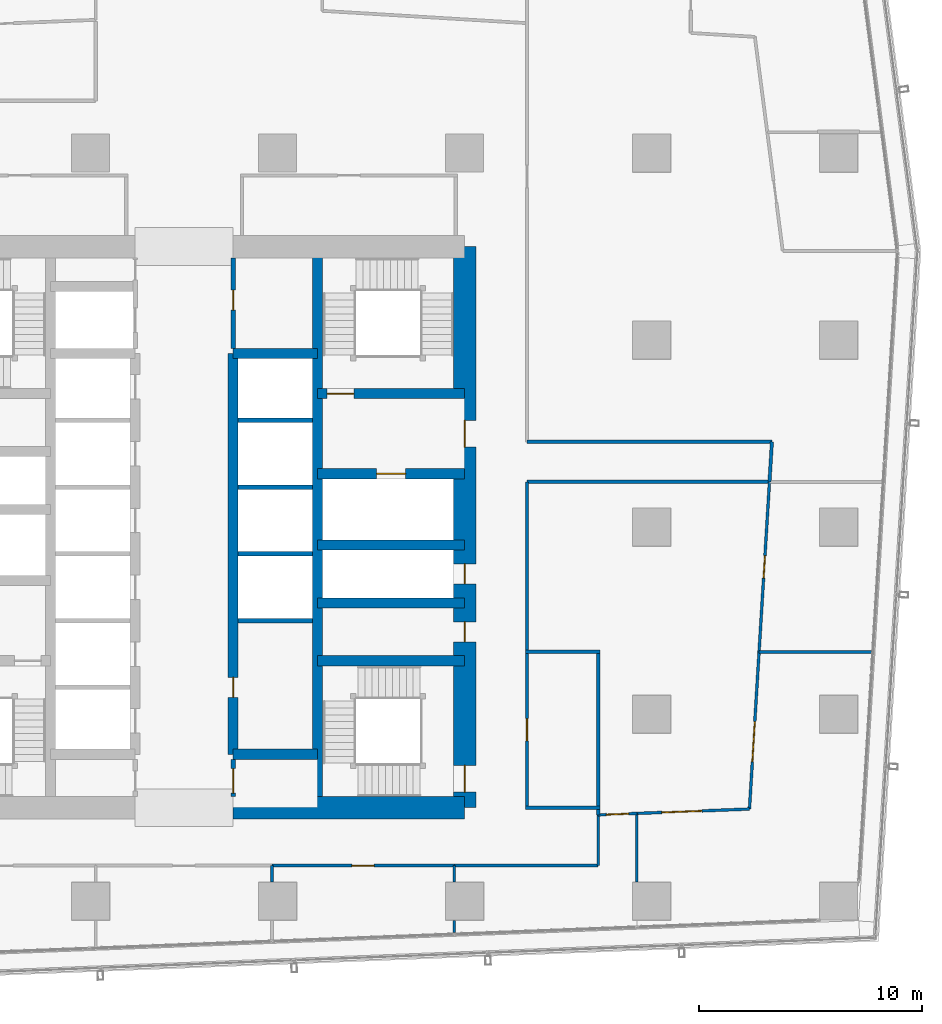
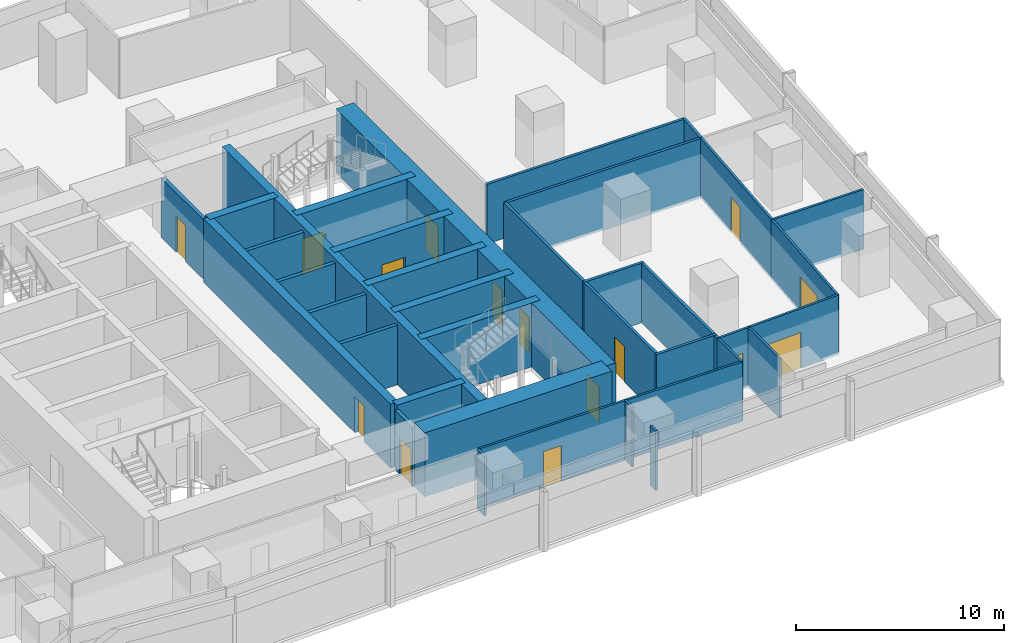
# One storey, part 30 of 40: 38 walls, 15 doors, 15 openings.
"""IFC4 building model written with IfcOpenShell, lengths in metres."""

import ifcopenshell
import ifcopenshell.guid

model = None  # the IFC model being written
_history = None  # IfcOwnerHistory: only IFC2X3 demands one
_inside = {}  # id of a spatial element -> (the spatial element, [elements in it])
_under = {}  # id of a project, library or spatial element -> (it, [spatial elements below it])
_declared = {}  # id of a project -> (the project, [libraries it declares])
_typed = {}  # id of a type object -> (the type object, [elements of that type])
_made_of = {}  # id of a material, layer set ... -> (it, [elements and type objects made of it])


def new_model(schema):
    """Start an empty IFC model of exactly this schema.

    Asked for "IFC4X3", IfcOpenShell would pick the latest addendum, in which some entities
    have other attributes; the version numbers below select the first issue.
    IFC2X3 requires an IfcOwnerHistory on every rooted entity: one is made here for all.
    """
    global model, _history
    if schema == "IFC4X3":
        model = ifcopenshell.file(schema_version=(4, 3, 0, 0))
    else:
        model = ifcopenshell.file(schema=schema)
    _inside.clear()
    _under.clear()
    _declared.clear()
    _typed.clear()
    _made_of.clear()
    _history = None
    if model.schema == "IFC2X3":
        org = make("IfcOrganization", Name="unknown")
        user = make(
            "IfcPersonAndOrganization",
            ThePerson=make("IfcPerson", FamilyName="unknown"),
            TheOrganization=org,
        )
        app = make(
            "IfcApplication",
            ApplicationDeveloper=org,
            Version="unknown",
            ApplicationFullName="unknown",
            ApplicationIdentifier="unknown",
        )
        _history = make(
            "IfcOwnerHistory",
            OwningUser=user,
            OwningApplication=app,
            ChangeAction="ADDED",
            CreationDate=0,
        )
    return model


def make(cls, **values):
    """One entity of the class cls with the attributes given. An attribute that is None is left unset."""
    return model.create_entity(
        cls, **{name: value for name, value in values.items() if value is not None}
    )


def rooted(cls, **values):
    """An entity with a GlobalId (a new one), such as an element, a storey or a relation."""
    return make(cls, GlobalId=ifcopenshell.guid.new(), OwnerHistory=_history, **values)


def si_unit(unit_type, name, prefix=None):
    """IfcSIUnit, for example si_unit("LENGTHUNIT", "METRE", prefix="MILLI")."""
    return make("IfcSIUnit", UnitType=unit_type, Prefix=prefix, Name=name)


def assignment(units):
    """IfcUnitAssignment: the units of a project."""
    return None if units is None else make("IfcUnitAssignment", Units=units)


def point(xyz):
    """IfcCartesianPoint."""
    return None if xyz is None else make("IfcCartesianPoint", Coordinates=xyz)


def direction(xyz):
    """IfcDirection."""
    return None if xyz is None else make("IfcDirection", DirectionRatios=xyz)


def frame(location, z_axis=None, x_axis=None):
    """IfcAxis2Placement3D, a coordinate frame: its origin and axes. An axis left out is left unset."""
    return make(
        "IfcAxis2Placement3D",
        Location=point(location),
        Axis=direction(z_axis),
        RefDirection=direction(x_axis),
    )


def frame_2d(location, x_axis=None):
    """IfcAxis2Placement2D, a coordinate frame in the plane: its origin and x axis."""
    return make(
        "IfcAxis2Placement2D", Location=point(location), RefDirection=direction(x_axis)
    )


def origin():
    """The frame at (0, 0, 0) with its axes left unset."""
    return frame((0.0, 0.0, 0.0))


def place(relative_to, where):
    """IfcLocalPlacement: puts the frame where relative to a parent placement (None: the world)."""
    return make(
        "IfcLocalPlacement", PlacementRelTo=relative_to, RelativePlacement=where
    )


def context(
    kind, dimensions, precision=None, world=None, true_north=None, identifier=None
):
    """IfcGeometricRepresentationContext, for example the 3D "Model" context."""
    return make(
        "IfcGeometricRepresentationContext",
        ContextIdentifier=identifier,
        ContextType=kind,
        CoordinateSpaceDimension=dimensions,
        Precision=precision,
        WorldCoordinateSystem=world,
        TrueNorth=true_north,
    )


def subcontext(parent, identifier, kind, view, scale=None):
    """IfcGeometricRepresentationSubContext, for example "Body" below "Model"."""
    return make(
        "IfcGeometricRepresentationSubContext",
        ContextIdentifier=identifier,
        ContextType=kind,
        ParentContext=parent,
        TargetScale=scale,
        TargetView=view,
    )


def project(units=None, contexts=None):
    """IfcProject with its units and contexts."""
    return rooted(
        "IfcProject",
        Name="project",
        RepresentationContexts=contexts,
        UnitsInContext=assignment(units),
    )


def spatial(cls, under=None, at=None, **own):
    """A site, building, storey or space (cls), placed at a placement, below another one or the project."""
    s = rooted(cls, ObjectPlacement=at, **own)
    if under is not None:
        _under.setdefault(under.id(), (under, []))[1].append(s)
    return s


def profile(cls, at=None, kind="AREA", **sizes):
    """A parametric profile (cls). Its sizes go by their IFC names, for example OverallWidth=200.0."""
    return make(cls, ProfileType=kind, Position=at, **sizes)


def rectangle(**sizes):
    """IfcRectangleProfileDef."""
    return profile("IfcRectangleProfileDef", **sizes)


def extrude(swept, where, along, depth):
    """IfcExtrudedAreaSolid: the profile swept, set in the frame where, extruded along a direction by depth."""
    return make(
        "IfcExtrudedAreaSolid",
        SweptArea=swept,
        Position=where,
        ExtrudedDirection=direction(along),
        Depth=depth,
    )


def shape(context_of_items, identifier, shape_type, items):
    """IfcShapeRepresentation: the items that make up one representation, for example the "Body"."""
    return make(
        "IfcShapeRepresentation",
        ContextOfItems=context_of_items,
        RepresentationIdentifier=identifier,
        RepresentationType=shape_type,
        Items=items,
    )


def material(Name=None, Category=None):
    """IfcMaterial."""
    return make("IfcMaterial", Name=Name, Category=Category)


def layer(
    of_material, thickness, ventilated=None, Name=None, Category=None, Priority=None
):
    """IfcMaterialLayer: one layer of a wall or slab, of a material (None: an air gap)."""
    return make(
        "IfcMaterialLayer",
        Material=of_material,
        LayerThickness=thickness,
        IsVentilated=ventilated,
        Name=Name,
        Category=Category,
        Priority=Priority,
    )


def layer_set(layers, Name=None):
    """IfcMaterialLayerSet."""
    return make("IfcMaterialLayerSet", MaterialLayers=layers, LayerSetName=Name)


def made_of(thing, what):
    """Note that an element or type object is made of a material, layer set ...; save() writes the relation."""
    if what is not None:
        _made_of.setdefault(what.id(), (what, []))[1].append(thing)
    return thing


def type_object(cls, material=None, **own):
    """A type object (cls), such as IfcWallType, which elements share."""
    return made_of(rooted(cls, **own), material)


def element(
    cls,
    number,
    at=None,
    inside=None,
    cuts=None,
    type_object=None,
    material=None,
    context=None,
    identifier="Body",
    shape_type=None,
    held_by="IfcProductDefinitionShape",
    body=None,
    shapes=None,
    **own,
):
    """One element of the class cls, such as IfcWall. Its Tag is "e" and its number.

    at: its placement. inside: the storey or other place that contains it. cuts: it is an
    opening in that element (IfcRelVoidsElement). A single representation is given by context,
    identifier, shape_type and body (its items); several are given by shapes. held_by: the class
    of the entity that holds the representations. save() writes the other relations.
    """
    e = rooted(cls, Tag="e%d" % number, ObjectPlacement=at, **own)
    if body is not None:
        shapes = [shape(context, identifier, shape_type, body)]
    if shapes is not None:
        e.Representation = make(held_by, Representations=shapes)
    if inside is not None:
        _inside.setdefault(inside.id(), (inside, []))[1].append(e)
    if cuts is not None:
        rooted(
            "IfcRelVoidsElement", RelatingBuildingElement=cuts, RelatedOpeningElement=e
        )
    if type_object is not None:
        _typed.setdefault(type_object.id(), (type_object, []))[1].append(e)
    return made_of(e, material)


def fill(opening, filler):
    """IfcRelFillsElement: the door or window that sits in an opening."""
    return rooted(
        "IfcRelFillsElement",
        RelatingOpeningElement=opening,
        RelatedBuildingElement=filler,
    )


def aggregate(whole, parts):
    """IfcRelAggregates: a whole, such as a stair, and the parts it consists of."""
    return rooted("IfcRelAggregates", RelatingObject=whole, RelatedObjects=parts)


def save(model, path):
    """Write the relations noted so far, then the file.

    IfcRelAggregates (storeys below a building ...), IfcRelContainedInSpatialStructure (elements
    in a storey), IfcRelDefinesByType, IfcRelAssociatesMaterial and IfcRelDeclares: one each for
    every whole, place, type object, material and project.
    """
    for whole, parts in _under.values():
        aggregate(whole, parts)
    for where, things in _inside.values():
        rooted(
            "IfcRelContainedInSpatialStructure",
            RelatedElements=things,
            RelatingStructure=where,
        )
    for kind, things in _typed.values():
        rooted("IfcRelDefinesByType", RelatedObjects=things, RelatingType=kind)
    for what, things in _made_of.values():
        rooted("IfcRelAssociatesMaterial", RelatedObjects=things, RelatingMaterial=what)
    for by, libraries in _declared.values():
        rooted("IfcRelDeclares", RelatingContext=by, RelatedDefinitions=libraries)
    model.write(path)


model = new_model("IFC4")

# Units and contexts
model_context = context("Model", 3, precision=1e-05, world=origin(), true_north=direction((0.0, 1.0)))
body_context = subcontext(model_context, "Body", "Model", "MODEL_VIEW")
ifc_project = project(units=[si_unit("LENGTHUNIT", "METRE"), si_unit("AREAUNIT", "SQUARE_METRE"), si_unit("VOLUMEUNIT", "CUBIC_METRE"), si_unit("PLANEANGLEUNIT", "RADIAN"), si_unit("MASSUNIT", "GRAM", prefix="KILO")], contexts=[model_context])

# Site, building, storey
site_placement = place(None, origin())
site = spatial("IfcSite", under=ifc_project, at=site_placement, CompositionType="ELEMENT")
building_placement = place(site_placement, origin())
building = spatial("IfcBuilding", under=site, at=building_placement, Name="Rekha Terrace Tower", CompositionType="ELEMENT")
storey_placement = place(building_placement, frame((0.0, 0.0, 136.550048828125)))
storey = spatial("IfcBuildingStorey", under=building, at=storey_placement, Name="L34", CompositionType="ELEMENT", Elevation=136.550048828125)

# Wall
ifc_material_1 = material(Name="Concrete M70", Category="concrete")
ifc_layer_1 = layer(ifc_material_1, 0.449951171875)
ifc_layer_set_1 = layer_set([ifc_layer_1], Name="Concrete M70")
wall_type_1 = type_object("IfcWallType", Name="CI2 450 core internal shear wall", PredefinedType="SHEAR", material=ifc_layer_set_1)
wall_1_placement = place(storey_placement, frame((43.800048828125, 21.0, 0.0), z_axis=(0.0, 0.0, 1.0), x_axis=(0.0, 1.0, 0.0)))
element("IfcWall", 1, at=wall_1_placement, inside=storey, type_object=wall_type_1, Name="Core wall X438 L34", PredefinedType="SHEAR", context=body_context, shape_type="SweptSolid", body=[
    extrude(rectangle(XDim=25.199951171875, YDim=0.449951171875, at=frame_2d((12.60009765625, 0.0))), origin(), (0.0, 0.0, 1.0), 3.75),
])

# Wall, opening, door
wall_2_placement = place(storey_placement, frame((40.0, 23.39990234375, 0.0), z_axis=(0.0, 0.0, 1.0), x_axis=(0.0, 1.0, 0.0)))
wall_2 = element("IfcWall", 2, at=wall_2_placement, inside=storey, type_object=wall_type_1, Name="Core wall X400 L34", PredefinedType="SHEAR", context=body_context, shape_type="SweptSolid", body=[
    extrude(rectangle(XDim=18.0, YDim=0.449951171875, at=frame_2d((9.0, 0.0))), origin(), (0.0, 0.0, 1.0), 3.75),
])
opening_1_placement = place(wall_2_placement, frame((2.550048828125, 0.0, 0.0)))
opening_1 = element("IfcOpeningElement", 3, at=opening_1_placement, cuts=wall_2, Name="Opening D5", PredefinedType="OPENING", context=body_context, shape_type="SweptSolid", body=[
    extrude(rectangle(XDim=0.89990234375, YDim=2.10009765625, at=frame_2d((0.449951171875, 1.050048828125))), frame((0.0, 0.23486328125, 0.0), z_axis=(0.0, -1.0, 0.0), x_axis=(1.0, 0.0, 0.0)), (0.0, 0.0, 1.0), 0.469970703125),
])
ifc_material_2 = material(Name="Steel fire door", Category="steel")
door_type_1 = type_object("IfcDoorType", Name="D5 900x2100 riser access door", OperationType="SINGLE_SWING_LEFT", PredefinedType="DOOR", material=ifc_material_2)
door_1_placement = place(opening_1_placement, origin())
door_1 = element("IfcDoor", 4, at=door_1_placement, inside=storey, type_object=door_type_1, Name="Door back-of-house store L34", OperationType="SINGLE_SWING_LEFT", OverallHeight=2.10009765625, OverallWidth=0.89990234375, PredefinedType="DOOR", context=body_context, shape_type="SweptSolid", body=[
    extrude(rectangle(XDim=0.89990234375, YDim=2.10009765625, at=frame_2d((0.449951171875, 1.050048828125))), frame((0.0, 0.02490234375, 0.0), z_axis=(0.0, -1.0, 0.0), x_axis=(1.0, 0.0, 0.0)), (0.0, 0.0, 1.0), 0.050048828125),
])
fill(opening_1, door_1)

# Walls
for number, where, z_axis, x_axis, name in (
    (5, (40.0, 23.39990234375, 0.0), (0.0, 0.0, 1.0), (1.0, 0.0, 0.0), "Core wall Y234E L34"),
    (6, (40.0, 41.39990234375, 0.0), (0.0, 0.0, 1.0), (1.0, 0.0, 0.0), "Core wall Y414E L34"),
):
    element("IfcWall", number, at=place(storey_placement, frame(where, z_axis=z_axis, x_axis=x_axis)), inside=storey, type_object=wall_type_1, Name=name, PredefinedType="SHEAR", context=body_context, shape_type="SweptSolid", body=[
        extrude(rectangle(XDim=3.800048828125, YDim=0.449951171875, at=frame_2d((1.89990234375, 0.0))), origin(), (0.0, 0.0, 1.0), 3.75),
    ])
for number, where, z_axis, x_axis, name in (
    (7, (43.800048828125, 27.60009765625, 0.0), (0.0, 0.0, 1.0), (1.0, 0.0, 0.0), "Core wall Y276E L34"),
    (8, (43.800048828125, 30.199951171875, 0.0), (0.0, 0.0, 1.0), (1.0, 0.0, 0.0), "Core wall Y302E L34"),
    (9, (43.800048828125, 32.800048828125, 0.0), (0.0, 0.0, 1.0), (1.0, 0.0, 0.0), "Core wall Y328E L34"),
):
    element("IfcWall", number, at=place(storey_placement, frame(where, z_axis=z_axis, x_axis=x_axis)), inside=storey, type_object=wall_type_1, Name=name, PredefinedType="SHEAR", context=body_context, shape_type="SweptSolid", body=[
        extrude(rectangle(XDim=6.599853515625, YDim=0.449951171875, at=frame_2d((3.2998046875, 0.0))), origin(), (0.0, 0.0, 1.0), 3.75),
    ])

# Wall, opening, door
wall_3_placement = place(storey_placement, frame((43.800048828125, 36.0, 0.0), z_axis=(0.0, 0.0, 1.0), x_axis=(1.0, 0.0, 0.0)))
wall_3 = element("IfcWall", 10, at=wall_3_placement, inside=storey, type_object=wall_type_1, Name="Core wall Y360E L34", PredefinedType="SHEAR", context=body_context, shape_type="SweptSolid", body=[
    extrude(rectangle(XDim=6.599853515625, YDim=0.449951171875, at=frame_2d((3.2998046875, 0.0))), origin(), (0.0, 0.0, 1.0), 3.75),
])
opening_2_placement = place(wall_3_placement, frame((2.64990234375, 0.0, 0.0)))
opening_2 = element("IfcOpeningElement", 11, at=opening_2_placement, cuts=wall_3, Name="Opening LD2", PredefinedType="OPENING", context=body_context, shape_type="SweptSolid", body=[
    extrude(rectangle(XDim=1.300048828125, YDim=2.10009765625, at=frame_2d((0.64990234375, 1.050048828125))), frame((0.0, 0.23486328125, 0.0), z_axis=(0.0, -1.0, 0.0), x_axis=(1.0, 0.0, 0.0)), (0.0, 0.0, 1.0), 0.469970703125),
])
ifc_material_3 = material(Name="Stainless steel sliding landing door", Category="steel")
door_type_2 = type_object("IfcDoorType", Name="LD2 1300x2100 fire lift landing door", OperationType="SLIDING_TO_LEFT", PredefinedType="USERDEFINED", material=ifc_material_3)
door_2_placement = place(opening_2_placement, origin())
door_2 = element("IfcDoor", 12, at=door_2_placement, inside=storey, type_object=door_type_2, Name="Lift FL2 landing door L34", ObjectType="LIFT LANDING DOOR", OperationType="SLIDING_TO_LEFT", OverallHeight=2.10009765625, OverallWidth=1.300048828125, PredefinedType="USERDEFINED", context=body_context, shape_type="SweptSolid", body=[
    extrude(rectangle(XDim=1.300048828125, YDim=2.10009765625, at=frame_2d((0.64990234375, 1.050048828125))), frame((0.0, 0.02490234375, 0.0), z_axis=(0.0, -1.0, 0.0), x_axis=(1.0, 0.0, 0.0)), (0.0, 0.0, 1.0), 0.050048828125),
])
fill(opening_2, door_2)

wall_4_placement = place(storey_placement, frame((43.800048828125, 39.60009765625, 0.0), z_axis=(0.0, 0.0, 1.0), x_axis=(1.0, 0.0, 0.0)))
wall_4 = element("IfcWall", 13, at=wall_4_placement, inside=storey, type_object=wall_type_1, Name="Core wall Y396E L34", PredefinedType="SHEAR", context=body_context, shape_type="SweptSolid", body=[
    extrude(rectangle(XDim=6.599853515625, YDim=0.449951171875, at=frame_2d((3.2998046875, 0.0))), origin(), (0.0, 0.0, 1.0), 3.75),
])
opening_3_placement = place(wall_4_placement, frame((0.425048828125, 0.0, 0.0)))
opening_3 = element("IfcOpeningElement", 14, at=opening_3_placement, cuts=wall_4, Name="Opening D1", PredefinedType="OPENING", context=body_context, shape_type="SweptSolid", body=[
    extrude(rectangle(XDim=1.199951171875, YDim=2.10009765625, at=frame_2d((0.60009765625, 1.050048828125))), frame((0.0, 0.23486328125, 0.0), z_axis=(0.0, -1.0, 0.0), x_axis=(1.0, 0.0, 0.0)), (0.0, 0.0, 1.0), 0.469970703125),
])
door_type_3 = type_object("IfcDoorType", Name="D1 1200x2100 stair fire door", OperationType="SINGLE_SWING_RIGHT", PredefinedType="DOOR", material=ifc_material_2)
door_3_placement = place(opening_3_placement, origin())
door_3 = element("IfcDoor", 15, at=door_3_placement, inside=storey, type_object=door_type_3, Name="Stair ST2 door L34", OperationType="SINGLE_SWING_RIGHT", OverallHeight=2.10009765625, OverallWidth=1.199951171875, PredefinedType="DOOR", context=body_context, shape_type="SweptSolid", body=[
    extrude(rectangle(XDim=1.199951171875, YDim=2.10009765625, at=frame_2d((0.60009765625, 1.050048828125))), frame((0.0, 0.02490234375, 0.0), z_axis=(0.0, -1.0, 0.0), x_axis=(1.0, 0.0, 0.0)), (0.0, 0.0, 1.0), 0.050048828125),
])
fill(opening_3, door_3)

# Wall
ifc_layer_2 = layer(ifc_material_1, 1.0)
ifc_layer_set_2 = layer_set([ifc_layer_2], Name="Concrete M70")
wall_type_2 = type_object("IfcWallType", Name="SW2 1000 core outer shear wall", PredefinedType="SHEAR", material=ifc_layer_set_2)
wall_5_placement = place(storey_placement, frame((40.0, 21.0, 0.0), z_axis=(0.0, 0.0, 1.0), x_axis=(1.0, 0.0, 0.0)))
element("IfcWall", 16, at=wall_5_placement, inside=storey, type_object=wall_type_2, Name="Core wall S2 L34", PredefinedType="SHEAR", context=body_context, shape_type="SweptSolid", body=[
    extrude(rectangle(XDim=10.39990234375, YDim=1.0, at=frame_2d((5.199951171875, 0.0))), origin(), (0.0, 0.0, 1.0), 3.75),
])

# Wall, openings, doors
wall_6_placement = place(storey_placement, frame((50.39990234375, 21.0, 0.0), z_axis=(0.0, 0.0, 1.0), x_axis=(0.0, 1.0, 0.0)))
wall_6 = element("IfcWall", 17, at=wall_6_placement, inside=storey, type_object=wall_type_2, Name="Core wall E L34", PredefinedType="SHEAR", context=body_context, shape_type="SweptSolid", body=[
    extrude(rectangle(XDim=25.199951171875, YDim=1.0, at=frame_2d((12.60009765625, 0.0))), origin(), (0.0, 0.0, 1.0), 3.75),
])
opening_4_placement = place(wall_6_placement, frame((16.199951171875, 0.0, 0.0)))
opening_4 = element("IfcOpeningElement", 18, at=opening_4_placement, cuts=wall_6, Name="Opening D2", PredefinedType="OPENING", context=body_context, shape_type="SweptSolid", body=[
    extrude(rectangle(XDim=1.199951171875, YDim=2.10009765625, at=frame_2d((0.60009765625, 1.050048828125))), frame((0.0, 0.510009765625, 0.0), z_axis=(0.0, -1.0, 0.0), x_axis=(1.0, 0.0, 0.0)), (0.0, 0.0, 1.0), 1.02001953125),
])
opening_5_placement = place(wall_6_placement, frame((10.050048828125, 0.0, 0.0)))
opening_5 = element("IfcOpeningElement", 19, at=opening_5_placement, cuts=wall_6, Name="Opening D5", PredefinedType="OPENING", context=body_context, shape_type="SweptSolid", body=[
    extrude(rectangle(XDim=0.89990234375, YDim=2.10009765625, at=frame_2d((0.449951171875, 1.050048828125))), frame((0.0, 0.510009765625, 0.0), z_axis=(0.0, -1.0, 0.0), x_axis=(1.0, 0.0, 0.0)), (0.0, 0.0, 1.0), 1.02001953125),
])
opening_6_placement = place(wall_6_placement, frame((7.449951171875, 0.0, 0.0)))
opening_6 = element("IfcOpeningElement", 20, at=opening_6_placement, cuts=wall_6, Name="Opening D5", PredefinedType="OPENING", context=body_context, shape_type="SweptSolid", body=[
    extrude(rectangle(XDim=0.89990234375, YDim=2.10009765625, at=frame_2d((0.449951171875, 1.050048828125))), frame((0.0, 0.510009765625, 0.0), z_axis=(0.0, -1.0, 0.0), x_axis=(1.0, 0.0, 0.0)), (0.0, 0.0, 1.0), 1.02001953125),
])
opening_7_placement = place(wall_6_placement, frame((0.699951171875, 0.0, 0.0)))
opening_7 = element("IfcOpeningElement", 21, at=opening_7_placement, cuts=wall_6, Name="Opening D1", PredefinedType="OPENING", context=body_context, shape_type="SweptSolid", body=[
    extrude(rectangle(XDim=1.199951171875, YDim=2.10009765625, at=frame_2d((0.60009765625, 1.050048828125))), frame((0.0, 0.510009765625, 0.0), z_axis=(0.0, -1.0, 0.0), x_axis=(1.0, 0.0, 0.0)), (0.0, 0.0, 1.0), 1.02001953125),
])
door_4_placement = place(opening_7_placement, origin())
door_4 = element("IfcDoor", 22, at=door_4_placement, inside=storey, type_object=door_type_3, Name="Stair ST3 door L34", OperationType="SINGLE_SWING_RIGHT", OverallHeight=2.10009765625, OverallWidth=1.199951171875, PredefinedType="DOOR", context=body_context, shape_type="SweptSolid", body=[
    extrude(rectangle(XDim=1.199951171875, YDim=2.10009765625, at=frame_2d((0.60009765625, 1.050048828125))), frame((0.0, 0.02490234375, 0.0), z_axis=(0.0, -1.0, 0.0), x_axis=(1.0, 0.0, 0.0)), (0.0, 0.0, 1.0), 0.050048828125),
])
fill(opening_7, door_4)
door_type_4 = type_object("IfcDoorType", Name="D2 1200x2100 firefighting lobby door", OperationType="SINGLE_SWING_LEFT", PredefinedType="DOOR", material=ifc_material_2)
door_5_placement = place(opening_4_placement, origin())
door_5 = element("IfcDoor", 23, at=door_5_placement, inside=storey, type_object=door_type_4, Name="Door flb2 L34", OperationType="SINGLE_SWING_LEFT", OverallHeight=2.10009765625, OverallWidth=1.199951171875, PredefinedType="DOOR", context=body_context, shape_type="SweptSolid", body=[
    extrude(rectangle(XDim=1.199951171875, YDim=2.10009765625, at=frame_2d((0.60009765625, 1.050048828125))), frame((0.0, 0.02490234375, 0.0), z_axis=(0.0, -1.0, 0.0), x_axis=(1.0, 0.0, 0.0)), (0.0, 0.0, 1.0), 0.050048828125),
])
fill(opening_4, door_5)
door_6_placement = place(opening_5_placement, origin())
door_6 = element("IfcDoor", 24, at=door_6_placement, inside=storey, type_object=door_type_1, Name="Door rs2 L34", OperationType="SINGLE_SWING_LEFT", OverallHeight=2.10009765625, OverallWidth=0.89990234375, PredefinedType="DOOR", context=body_context, shape_type="SweptSolid", body=[
    extrude(rectangle(XDim=0.89990234375, YDim=2.10009765625, at=frame_2d((0.449951171875, 1.050048828125))), frame((0.0, 0.02490234375, 0.0), z_axis=(0.0, -1.0, 0.0), x_axis=(1.0, 0.0, 0.0)), (0.0, 0.0, 1.0), 0.050048828125),
])
fill(opening_5, door_6)
door_7_placement = place(opening_6_placement, origin())
door_7 = element("IfcDoor", 25, at=door_7_placement, inside=storey, type_object=door_type_1, Name="Door ele L34", OperationType="SINGLE_SWING_LEFT", OverallHeight=2.10009765625, OverallWidth=0.89990234375, PredefinedType="DOOR", context=body_context, shape_type="SweptSolid", body=[
    extrude(rectangle(XDim=0.89990234375, YDim=2.10009765625, at=frame_2d((0.449951171875, 1.050048828125))), frame((0.0, 0.02490234375, 0.0), z_axis=(0.0, -1.0, 0.0), x_axis=(1.0, 0.0, 0.0)), (0.0, 0.0, 1.0), 0.050048828125),
])
fill(opening_6, door_7)

# Walls
ifc_material_4 = material(Name="Concrete block masonry, 1 hour", Category="masonry")
ifc_layer_3 = layer(ifc_material_4, 0.14990234375)
ifc_layer_set_3 = layer_set([ifc_layer_3], Name="Concrete block masonry, 1 hour")
wall_type_3 = type_object("IfcWallType", Name="WP2 150 tenancy partition", PredefinedType="PARTITIONING", material=ifc_layer_set_3)
for number, where, z_axis, x_axis, name in (
    (26, (53.125, 21.0, 0.0), (0.0, 0.0, 1.0), (1.0, 0.0, 0.0), "Men's WC wall L34"),
    (27, (53.125, 28.0, 0.0), (0.0, 0.0, 1.0), (1.0, 0.0, 0.0), "Men's WC wall L34"),
):
    element("IfcWall", number, at=place(storey_placement, frame(where, z_axis=z_axis, x_axis=x_axis)), inside=storey, type_object=wall_type_3, Name=name, PredefinedType="PARTITIONING", context=body_context, shape_type="SweptSolid", body=[
        extrude(rectangle(XDim=3.35009765625, YDim=0.14990234375, at=frame_2d((1.675048828125, 0.0))), origin(), (0.0, 0.0, 1.0), 3.5),
    ])

# Wall, opening, door
wall_7_placement = place(storey_placement, frame((53.199951171875, 21.074951171875, 0.0), z_axis=(0.0, 0.0, 1.0), x_axis=(0.0, 1.0, 0.0)))
wall_7 = element("IfcWall", 28, at=wall_7_placement, inside=storey, type_object=wall_type_3, Name="Men's WC wall L34", PredefinedType="PARTITIONING", context=body_context, shape_type="SweptSolid", body=[
    extrude(rectangle(XDim=6.85009765625, YDim=0.14990234375, at=frame_2d((3.425048828125, 0.0))), origin(), (0.0, 0.0, 1.0), 3.5),
])
opening_8_placement = place(wall_7_placement, frame((2.925048828125, 0.0, 0.0)))
opening_8 = element("IfcOpeningElement", 29, at=opening_8_placement, cuts=wall_7, Name="Opening D3", PredefinedType="OPENING", context=body_context, shape_type="SweptSolid", body=[
    extrude(rectangle(XDim=1.0, YDim=2.10009765625, at=frame_2d((0.5, 1.050048828125))), frame((0.0, 0.0849609375, 0.0), z_axis=(0.0, -1.0, 0.0), x_axis=(1.0, 0.0, 0.0)), (0.0, 0.0, 1.0), 0.169921875),
])
ifc_material_5 = material(Name="Laminated timber fire door", Category="wood")
door_type_5 = type_object("IfcDoorType", Name="D3 1000x2100 WC door", OperationType="SINGLE_SWING_LEFT", PredefinedType="DOOR", material=ifc_material_5)
door_8_placement = place(opening_8_placement, origin())
door_8 = element("IfcDoor", 30, at=door_8_placement, inside=storey, type_object=door_type_5, Name="Door men's wc L34", OperationType="SINGLE_SWING_LEFT", OverallHeight=2.10009765625, OverallWidth=1.0, PredefinedType="DOOR", context=body_context, shape_type="SweptSolid", body=[
    extrude(rectangle(XDim=1.0, YDim=2.10009765625, at=frame_2d((0.5, 1.050048828125))), frame((0.0, 0.02490234375, 0.0), z_axis=(0.0, -1.0, 0.0), x_axis=(1.0, 0.0, 0.0)), (0.0, 0.0, 1.0), 0.050048828125),
])
fill(opening_8, door_8)

# Walls
wall_8_placement = place(storey_placement, frame((56.39990234375, 21.074951171875, 0.0), z_axis=(0.0, 0.0, 1.0), x_axis=(0.0, 1.0, 0.0)))
element("IfcWall", 31, at=wall_8_placement, inside=storey, type_object=wall_type_3, Name="Men's WC wall L34", PredefinedType="PARTITIONING", context=body_context, shape_type="SweptSolid", body=[
    extrude(rectangle(XDim=6.85009765625, YDim=0.14990234375, at=frame_2d((3.425048828125, 0.0))), origin(), (0.0, 0.0, 1.0), 3.5),
])
wall_9_placement = place(storey_placement, frame((64.093017578125, 35.636962890625, 0.0), z_axis=(0.0, 0.0, 1.0), x_axis=(0.060920139636, 0.998142643407, 0.0)))
element("IfcWall", 32, at=wall_9_placement, inside=storey, type_object=wall_type_3, Name="Partition L34-O1", PredefinedType="PARTITIONING", context=body_context, shape_type="SweptSolid", body=[
    extrude(rectangle(XDim=1.803466796875, YDim=0.14990234375, at=frame_2d((0.90185546875, 0.0))), origin(), (0.0, 0.0, 1.0), 3.5),
])
wall_10_placement = place(storey_placement, frame((64.202880859375, 37.43701171875, 0.0), z_axis=(0.0, 0.0, 1.0), x_axis=(-1.0, 0.0, 0.0)))
element("IfcWall", 33, at=wall_10_placement, inside=storey, type_object=wall_type_3, Name="Partition L34-O1", PredefinedType="PARTITIONING", context=body_context, shape_type="SweptSolid", body=[
    extrude(rectangle(XDim=11.001953125, YDim=0.14990234375, at=frame_2d((5.5009765625, 0.0))), origin(), (0.0, 0.0, 1.0), 3.5),
])
wall_11_placement = place(storey_placement, frame((56.39990234375, 20.674072265625, 0.0), z_axis=(0.0, 0.0, 1.0), x_axis=(0.0, 1.0, 0.0)))
element("IfcWall", 34, at=wall_11_placement, inside=storey, type_object=wall_type_3, Name="Partition L34-O1", PredefinedType="PARTITIONING", context=body_context, shape_type="SweptSolid", body=[
    extrude(rectangle(XDim=0.2509765625, YDim=0.14990234375, at=frame_2d((0.12548828125, 0.0))), origin(), (0.0, 0.0, 1.0), 3.5),
])
wall_12_placement = place(storey_placement, frame((53.199951171875, 28.074951171875, 0.0), z_axis=(0.0, 0.0, 1.0), x_axis=(0.0, 1.0, 0.0)))
element("IfcWall", 35, at=wall_12_placement, inside=storey, type_object=wall_type_3, Name="Partition L34-O1", PredefinedType="PARTITIONING", context=body_context, shape_type="SweptSolid", body=[
    extrude(rectangle(XDim=7.56201171875, YDim=0.14990234375, at=frame_2d((3.781005859375, 0.0))), origin(), (0.0, 0.0, 1.0), 3.5),
])
wall_13_placement = place(storey_placement, frame((53.199951171875, 35.636962890625, 0.0), z_axis=(0.0, 0.0, 1.0), x_axis=(1.0, 0.0, 0.0)))
element("IfcWall", 36, at=wall_13_placement, inside=storey, type_object=wall_type_3, Name="Partition L34-O1", PredefinedType="PARTITIONING", context=body_context, shape_type="SweptSolid", body=[
    extrude(rectangle(XDim=10.89306640625, YDim=0.14990234375, at=frame_2d((5.446533203125, 0.0))), origin(), (0.0, 0.0, 1.0), 3.5),
])

# Wall, opening, door
ifc_material_6 = material(Name="Two layers of fire-rated gypsum board each side on steel studs, acoustic quilt, 1 hour", Category="steel")
ifc_layer_4 = layer(ifc_material_6, 0.125)
ifc_layer_set_4 = layer_set([ifc_layer_4], Name="Two layers of fire-rated gypsum board each side on steel studs, acoustic quilt, 1 hour")
wall_type_4 = type_object("IfcWallType", Name="WP3 125 office partition", PredefinedType="PARTITIONING", material=ifc_layer_set_4)
wall_14_placement = place(storey_placement, frame((41.740966796875, 18.39990234375, 0.0), z_axis=(0.0, 0.0, 1.0), x_axis=(1.0, 0.0, 0.0)))
wall_14 = element("IfcWall", 37, at=wall_14_placement, inside=storey, type_object=wall_type_4, Name="Partition L34-02", PredefinedType="PARTITIONING", context=body_context, shape_type="SweptSolid", body=[
    extrude(rectangle(XDim=8.195068359375, YDim=0.125, at=frame_2d((4.09765625, 0.0))), origin(), (0.0, 0.0, 1.0), 3.5),
])
opening_9_placement = place(wall_14_placement, frame((3.596923828125, 0.0, 0.0)))
opening_9 = element("IfcOpeningElement", 38, at=opening_9_placement, cuts=wall_14, Name="Opening D9", PredefinedType="OPENING", context=body_context, shape_type="SweptSolid", body=[
    extrude(rectangle(XDim=1.0, YDim=2.10009765625, at=frame_2d((0.5, 1.050048828125))), frame((0.0, 0.072509765625, 0.0), z_axis=(0.0, -1.0, 0.0), x_axis=(1.0, 0.0, 0.0)), (0.0, 0.0, 1.0), 0.14501953125),
])
ifc_material_7 = material(Name="Timber fire door", Category="wood")
door_type_6 = type_object("IfcDoorType", Name="D9 1000x2100 office door", OperationType="SINGLE_SWING_LEFT", PredefinedType="DOOR", material=ifc_material_7)
door_9_placement = place(opening_9_placement, origin())
door_9 = element("IfcDoor", 39, at=door_9_placement, inside=storey, type_object=door_type_6, Name="Door meeting room L34", OperationType="SINGLE_SWING_LEFT", OverallHeight=2.10009765625, OverallWidth=1.0, PredefinedType="DOOR", context=body_context, shape_type="SweptSolid", body=[
    extrude(rectangle(XDim=1.0, YDim=2.10009765625, at=frame_2d((0.5, 1.050048828125))), frame((0.0, 0.02490234375, 0.0), z_axis=(0.0, -1.0, 0.0), x_axis=(1.0, 0.0, 0.0)), (0.0, 0.0, 1.0), 0.050048828125),
])
fill(opening_9, door_9)

# Walls
wall_15_placement = place(storey_placement, frame((49.93603515625, 18.39990234375, 0.0), z_axis=(0.0, 0.0, 1.0), x_axis=(0.0, -1.0, 0.0)))
element("IfcWall", 40, at=wall_15_placement, inside=storey, type_object=wall_type_4, Name="Partition L34-02", PredefinedType="PARTITIONING", context=body_context, shape_type="SweptSolid", body=[
    extrude(rectangle(XDim=0.72998046875, YDim=0.125, at=frame_2d((0.364990234375, 0.0))), origin(), (0.0, 0.0, 1.0), 3.5),
])
wall_16_placement = place(storey_placement, frame((49.93603515625, 15.929931640625, 0.0), z_axis=(0.0, 0.0, 1.0), x_axis=(0.0, -1.0, 0.0)))
element("IfcWall", 41, at=wall_16_placement, inside=storey, type_object=wall_type_4, Name="Partition L34-02", PredefinedType="PARTITIONING", context=body_context, shape_type="SweptSolid", body=[
    extrude(rectangle(XDim=0.531005859375, YDim=0.125, at=frame_2d((0.265625, 0.0))), origin(), (0.0, 0.0, 1.0), 3.5),
])
wall_17_placement = place(storey_placement, frame((41.740966796875, 17.669921875, 0.0), z_axis=(0.0, 0.0, 1.0), x_axis=(0.0, 1.0, 0.0)))
element("IfcWall", 42, at=wall_17_placement, inside=storey, type_object=wall_type_4, Name="Partition L34-02", PredefinedType="PARTITIONING", context=body_context, shape_type="SweptSolid", body=[
    extrude(rectangle(XDim=0.72998046875, YDim=0.125, at=frame_2d((0.364990234375, 0.0))), origin(), (0.0, 0.0, 1.0), 3.5),
])
wall_18_placement = place(storey_placement, frame((49.93701171875, 18.39990234375, 0.0), z_axis=(0.0, 0.0, 1.0), x_axis=(1.0, 0.0, 0.0)))
element("IfcWall", 43, at=wall_18_placement, inside=storey, type_object=wall_type_4, Name="Partition L34-03", PredefinedType="PARTITIONING", context=body_context, shape_type="SweptSolid", body=[
    extrude(rectangle(XDim=6.462890625, YDim=0.125, at=frame_2d((3.2314453125, 0.0))), origin(), (0.0, 0.0, 1.0), 3.5),
])
wall_19_placement = place(storey_placement, frame((56.39990234375, 18.39990234375, 0.0), z_axis=(0.0, 0.0, 1.0), x_axis=(0.0, 1.0, 0.0)))
element("IfcWall", 44, at=wall_19_placement, inside=storey, type_object=wall_type_4, Name="Partition L34-03", PredefinedType="PARTITIONING", context=body_context, shape_type="SweptSolid", body=[
    extrude(rectangle(XDim=2.274169921875, YDim=0.125, at=frame_2d((1.13720703125, 0.0))), origin(), (0.0, 0.0, 1.0), 3.5),
])

# Wall, opening, door
wall_20_placement = place(storey_placement, frame((56.39990234375, 20.674072265625, 0.0), z_axis=(0.0, 0.0, 1.0), x_axis=(0.999234110548, 0.039130452561, 0.0)))
wall_20 = element("IfcWall", 45, at=wall_20_placement, inside=storey, type_object=wall_type_4, Name="Partition L34-03", PredefinedType="PARTITIONING", context=body_context, shape_type="SweptSolid", body=[
    extrude(rectangle(XDim=1.734375, YDim=0.125, at=frame_2d((0.8671875, 0.0))), origin(), (0.0, 0.0, 1.0), 3.5),
])
opening_10_placement = place(wall_20_placement, frame((0.366943359375, 0.0, 0.0)))
opening_10 = element("IfcOpeningElement", 46, at=opening_10_placement, cuts=wall_20, Name="Opening D9", PredefinedType="OPENING", context=body_context, shape_type="SweptSolid", body=[
    extrude(rectangle(XDim=1.0, YDim=2.10009765625, at=frame_2d((0.5, 1.050048828125))), frame((0.0, 0.072509765625, 0.0), z_axis=(0.0, -1.0, 0.0), x_axis=(1.0, 0.0, 0.0)), (0.0, 0.0, 1.0), 0.14501953125),
])
door_10_placement = place(opening_10_placement, origin())
door_10 = element("IfcDoor", 47, at=door_10_placement, inside=storey, type_object=door_type_6, Name="Door pantry L34", OperationType="SINGLE_SWING_LEFT", OverallHeight=2.10009765625, OverallWidth=1.0, PredefinedType="DOOR", context=body_context, shape_type="SweptSolid", body=[
    extrude(rectangle(XDim=1.0, YDim=2.10009765625, at=frame_2d((0.5, 1.050048828125))), frame((0.0, 0.02490234375, 0.0), z_axis=(0.0, -1.0, 0.0), x_axis=(1.0, 0.0, 0.0)), (0.0, 0.0, 1.0), 0.050048828125),
])
fill(opening_10, door_10)

# Wall
wall_21_placement = place(storey_placement, frame((58.133056640625, 20.741943359375, 0.0), z_axis=(0.0, 0.0, 1.0), x_axis=(0.0, -1.0, 0.0)))
element("IfcWall", 48, at=wall_21_placement, inside=storey, type_object=wall_type_4, Name="Partition L34-03", PredefinedType="PARTITIONING", context=body_context, shape_type="SweptSolid", body=[
    extrude(rectangle(XDim=3.072021484375, YDim=0.125, at=frame_2d((1.5361328125, 0.0))), origin(), (0.0, 0.0, 1.0), 3.5),
])

# Wall, opening, door
wall_22_placement = place(storey_placement, frame((58.134033203125, 20.741943359375, 0.0), z_axis=(0.0, 0.0, 1.0), x_axis=(0.999242539351, 0.038914618727, 0.0)))
wall_22 = element("IfcWall", 49, at=wall_22_placement, inside=storey, type_object=wall_type_4, Name="Partition L34-04", PredefinedType="PARTITIONING", context=body_context, shape_type="SweptSolid", body=[
    extrude(rectangle(XDim=5.06298828125, YDim=0.125, at=frame_2d((2.531494140625, 0.0))), origin(), (0.0, 0.0, 1.0), 3.5),
])
opening_11_placement = place(wall_22_placement, frame((1.1298828125, 0.0, 0.0)))
opening_11 = element("IfcOpeningElement", 50, at=opening_11_placement, cuts=wall_22, Name="Opening D8", PredefinedType="OPENING", context=body_context, shape_type="SweptSolid", body=[
    extrude(rectangle(XDim=1.800048828125, YDim=2.10009765625, at=frame_2d((0.89990234375, 1.050048828125))), frame((0.0, 0.072509765625, 0.0), z_axis=(0.0, -1.0, 0.0), x_axis=(1.0, 0.0, 0.0)), (0.0, 0.0, 1.0), 0.14501953125),
])
door_type_7 = type_object("IfcDoorType", Name="D8 1800x2100 double leaf door", OperationType="DOUBLE_DOOR_SINGLE_SWING", PredefinedType="DOOR", material=ifc_material_7)
door_11_placement = place(opening_11_placement, origin())
door_11 = element("IfcDoor", 51, at=door_11_placement, inside=storey, type_object=door_type_7, Name="Door board meeting room L34", OperationType="DOUBLE_DOOR_SINGLE_SWING", OverallHeight=2.10009765625, OverallWidth=1.800048828125, PredefinedType="DOOR", context=body_context, shape_type="SweptSolid", body=[
    extrude(rectangle(XDim=1.800048828125, YDim=2.10009765625, at=frame_2d((0.89990234375, 1.050048828125))), frame((0.0, 0.02490234375, 0.0), z_axis=(0.0, -1.0, 0.0), x_axis=(1.0, 0.0, 0.0)), (0.0, 0.0, 1.0), 0.050048828125),
])
fill(opening_11, door_11)

wall_23_placement = place(storey_placement, frame((63.193115234375, 20.93896484375, 0.0), z_axis=(0.0, 0.0, 1.0), x_axis=(0.061084086736, 0.998132623627, 0.0)))
wall_23 = element("IfcWall", 52, at=wall_23_placement, inside=storey, type_object=wall_type_4, Name="Partition L34-04", PredefinedType="PARTITIONING", context=body_context, shape_type="SweptSolid", body=[
    extrude(rectangle(XDim=7.0703125, YDim=0.125, at=frame_2d((3.53515625, 0.0))), origin(), (0.0, 0.0, 1.0), 3.5),
])
opening_12_placement = place(wall_23_placement, frame((2.133056640625, 0.0, 0.0)))
opening_12 = element("IfcOpeningElement", 53, at=opening_12_placement, cuts=wall_23, Name="Opening D8", PredefinedType="OPENING", context=body_context, shape_type="SweptSolid", body=[
    extrude(rectangle(XDim=1.800048828125, YDim=2.10009765625, at=frame_2d((0.89990234375, 1.050048828125))), frame((0.0, 0.072509765625, 0.0), z_axis=(0.0, -1.0, 0.0), x_axis=(1.0, 0.0, 0.0)), (0.0, 0.0, 1.0), 0.14501953125),
])
door_12_placement = place(opening_12_placement, origin())
door_12 = element("IfcDoor", 54, at=door_12_placement, inside=storey, type_object=door_type_7, Name="Door board meeting room L34", OperationType="DOUBLE_DOOR_SINGLE_SWING", OverallHeight=2.10009765625, OverallWidth=1.800048828125, PredefinedType="DOOR", context=body_context, shape_type="SweptSolid", body=[
    extrude(rectangle(XDim=1.800048828125, YDim=2.10009765625, at=frame_2d((0.89990234375, 1.050048828125))), frame((0.0, 0.02490234375, 0.0), z_axis=(0.0, -1.0, 0.0), x_axis=(1.0, 0.0, 0.0)), (0.0, 0.0, 1.0), 0.050048828125),
])
fill(opening_12, door_12)

# Wall
wall_24_placement = place(storey_placement, frame((63.625, 27.99609375, 0.0), z_axis=(0.0, 0.0, 1.0), x_axis=(1.0, 0.0, 0.0)))
element("IfcWall", 55, at=wall_24_placement, inside=storey, type_object=wall_type_4, Name="Partition L34-04", PredefinedType="PARTITIONING", context=body_context, shape_type="SweptSolid", body=[
    extrude(rectangle(XDim=5.05908203125, YDim=0.125, at=frame_2d((2.529541015625, 0.0))), origin(), (0.0, 0.0, 1.0), 3.5),
])

# Wall, opening, door
wall_25_placement = place(storey_placement, frame((63.625, 27.9970703125, 0.0), z_axis=(0.0, 0.0, 1.0), x_axis=(0.061176245149, 0.998126979412, 0.0)))
wall_25 = element("IfcWall", 56, at=wall_25_placement, inside=storey, type_object=wall_type_4, Name="Partition L34-05", PredefinedType="PARTITIONING", context=body_context, shape_type="SweptSolid", body=[
    extrude(rectangle(XDim=7.650390625, YDim=0.125, at=frame_2d((3.8251953125, 0.0))), origin(), (0.0, 0.0, 1.0), 3.5),
])
opening_13_placement = place(wall_25_placement, frame((3.324951171875, 0.0, 0.0)))
opening_13 = element("IfcOpeningElement", 57, at=opening_13_placement, cuts=wall_25, Name="Opening D9", PredefinedType="OPENING", context=body_context, shape_type="SweptSolid", body=[
    extrude(rectangle(XDim=1.0, YDim=2.10009765625, at=frame_2d((0.5, 1.050048828125))), frame((0.0, 0.072509765625, 0.0), z_axis=(0.0, -1.0, 0.0), x_axis=(1.0, 0.0, 0.0)), (0.0, 0.0, 1.0), 0.14501953125),
])
door_13_placement = place(opening_13_placement, origin())
door_13 = element("IfcDoor", 58, at=door_13_placement, inside=storey, type_object=door_type_6, Name="Door office L34", OperationType="SINGLE_SWING_LEFT", OverallHeight=2.10009765625, OverallWidth=1.0, PredefinedType="DOOR", context=body_context, shape_type="SweptSolid", body=[
    extrude(rectangle(XDim=1.0, YDim=2.10009765625, at=frame_2d((0.5, 1.050048828125))), frame((0.0, 0.02490234375, 0.0), z_axis=(0.0, -1.0, 0.0), x_axis=(1.0, 0.0, 0.0)), (0.0, 0.0, 1.0), 0.050048828125),
])
fill(opening_13, door_13)

# Walls
ifc_material_8 = material(Name="Solid concrete block masonry, 2 hour", Category="masonry")
ifc_layer_5 = layer(ifc_material_8, 0.199951171875)
ifc_layer_set_5 = layer_set([ifc_layer_5], Name="Solid concrete block masonry, 2 hour")
wall_type_5 = type_object("IfcWallType", Name="WS1 200 stair and shaft enclosure", PredefinedType="PARTITIONING", material=ifc_layer_set_5)
for number, where, z_axis, x_axis, name in (
    (59, (40.22509765625, 29.39990234375, 0.0), (0.0, 0.0, 1.0), (1.0, 0.0, 0.0), "Lift shaft divider L34"),
    (60, (40.22509765625, 32.39990234375, 0.0), (0.0, 0.0, 1.0), (1.0, 0.0, 0.0), "Lift shaft divider L34"),
    (61, (40.22509765625, 35.39990234375, 0.0), (0.0, 0.0, 1.0), (1.0, 0.0, 0.0), "Lift shaft divider L34"),
    (62, (40.22509765625, 38.39990234375, 0.0), (0.0, 0.0, 1.0), (1.0, 0.0, 0.0), "Lift shaft divider L34"),
):
    element("IfcWall", number, at=place(storey_placement, frame(where, z_axis=z_axis, x_axis=x_axis)), inside=storey, type_object=wall_type_5, Name=name, PredefinedType="PARTITIONING", context=body_context, shape_type="SweptSolid", body=[
        extrude(rectangle(XDim=3.349853515625, YDim=0.199951171875, at=frame_2d((1.6748046875, 0.0))), origin(), (0.0, 0.0, 1.0), 3.5),
    ])

# Wall, opening, door
wall_26_placement = place(storey_placement, frame((40.0, 21.5, 0.0), z_axis=(0.0, 0.0, 1.0), x_axis=(0.0, 1.0, 0.0)))
wall_26 = element("IfcWall", 63, at=wall_26_placement, inside=storey, type_object=wall_type_5, Name="Core partition wca L34", PredefinedType="PARTITIONING", context=body_context, shape_type="SweptSolid", body=[
    extrude(rectangle(XDim=1.675048828125, YDim=0.199951171875, at=frame_2d((0.83740234375, 0.0))), origin(), (0.0, 0.0, 1.0), 3.5),
])
opening_14_placement = place(wall_26_placement, frame((0.14990234375, 0.0, 0.0)))
opening_14 = element("IfcOpeningElement", 64, at=opening_14_placement, cuts=wall_26, Name="Opening D4", PredefinedType="OPENING", context=body_context, shape_type="SweptSolid", body=[
    extrude(rectangle(XDim=1.10009765625, YDim=2.10009765625, at=frame_2d((0.550048828125, 1.050048828125))), frame((0.0, 0.10986328125, 0.0), z_axis=(0.0, -1.0, 0.0), x_axis=(1.0, 0.0, 0.0)), (0.0, 0.0, 1.0), 0.219970703125),
])
door_type_8 = type_object("IfcDoorType", Name="D4 1100x2100 accessible WC door", OperationType="SLIDING_TO_LEFT", PredefinedType="DOOR", material=ifc_material_5)
door_14_placement = place(opening_14_placement, origin())
door_14 = element("IfcDoor", 65, at=door_14_placement, inside=storey, type_object=door_type_8, Name="Door wca L34", OperationType="SLIDING_TO_LEFT", OverallHeight=2.10009765625, OverallWidth=1.10009765625, PredefinedType="DOOR", context=body_context, shape_type="SweptSolid", body=[
    extrude(rectangle(XDim=1.10009765625, YDim=2.10009765625, at=frame_2d((0.550048828125, 1.050048828125))), frame((0.0, 0.02490234375, 0.0), z_axis=(0.0, -1.0, 0.0), x_axis=(1.0, 0.0, 0.0)), (0.0, 0.0, 1.0), 0.050048828125),
])
fill(opening_14, door_14)

wall_27_placement = place(storey_placement, frame((40.0, 41.625, 0.0), z_axis=(0.0, 0.0, 1.0), x_axis=(0.0, 1.0, 0.0)))
wall_27 = element("IfcWall", 66, at=wall_27_placement, inside=storey, type_object=wall_type_5, Name="Core partition elec L34", PredefinedType="PARTITIONING", context=body_context, shape_type="SweptSolid", body=[
    extrude(rectangle(XDim=4.074951171875, YDim=0.199951171875, at=frame_2d((2.03759765625, 0.0))), origin(), (0.0, 0.0, 1.0), 3.5),
])
opening_15_placement = place(wall_27_placement, frame((1.72509765625, 0.0, 0.0)))
opening_15 = element("IfcOpeningElement", 67, at=opening_15_placement, cuts=wall_27, Name="Opening D5", PredefinedType="OPENING", context=body_context, shape_type="SweptSolid", body=[
    extrude(rectangle(XDim=0.89990234375, YDim=2.10009765625, at=frame_2d((0.449951171875, 1.050048828125))), frame((0.0, 0.10986328125, 0.0), z_axis=(0.0, -1.0, 0.0), x_axis=(1.0, 0.0, 0.0)), (0.0, 0.0, 1.0), 0.219970703125),
])
door_15_placement = place(opening_15_placement, origin())
door_15 = element("IfcDoor", 68, at=door_15_placement, inside=storey, type_object=door_type_1, Name="Door electrical room L34", OperationType="SINGLE_SWING_LEFT", OverallHeight=2.10009765625, OverallWidth=0.89990234375, PredefinedType="DOOR", context=body_context, shape_type="SweptSolid", body=[
    extrude(rectangle(XDim=0.89990234375, YDim=2.10009765625, at=frame_2d((0.449951171875, 1.050048828125))), frame((0.0, 0.02490234375, 0.0), z_axis=(0.0, -1.0, 0.0), x_axis=(1.0, 0.0, 0.0)), (0.0, 0.0, 1.0), 0.050048828125),
])
fill(opening_15, door_15)

save(model, "model.ifc")
